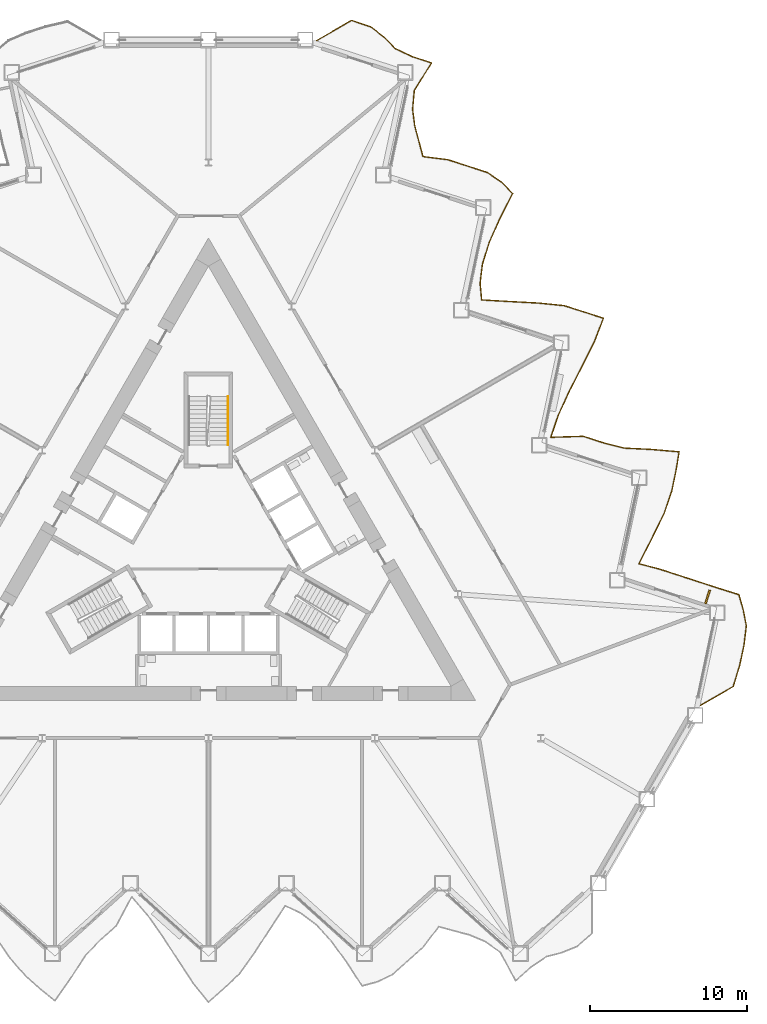
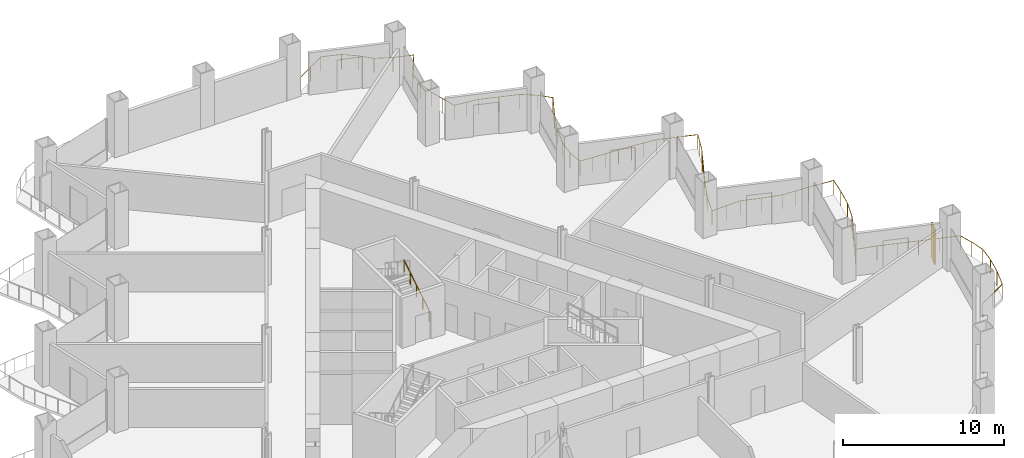
# One storey, part 18 of 20: 2 railings, 1 shading device.
"""IFC4 building model written with IfcOpenShell, lengths in metres."""

from ifc_helpers import new_model, si_unit, direction, frame, origin, origin_2d, place, context, subcontext, project, spatial, rectangle, circle, extrude, material, layer, layer_set, type_object, element, save


model = new_model("IFC4")

# Units and contexts
model_context = context("Model", 3, precision=1e-05, world=origin(), true_north=direction((0.0, 1.0)))
body_context = subcontext(model_context, "Body", "Model", "MODEL_VIEW")
ifc_project = project(units=[si_unit("LENGTHUNIT", "METRE"), si_unit("AREAUNIT", "SQUARE_METRE"), si_unit("VOLUMEUNIT", "CUBIC_METRE"), si_unit("PLANEANGLEUNIT", "RADIAN"), si_unit("MASSUNIT", "GRAM", prefix="KILO")], contexts=[model_context])

# Site, building, storey
site_placement = place(None, origin())
site = spatial("IfcSite", under=ifc_project, at=site_placement, CompositionType="ELEMENT")
building_placement = place(site_placement, origin())
building = spatial("IfcBuilding", under=site, at=building_placement, Name="Cormorant Prow Tower", CompositionType="ELEMENT")
storey_placement = place(building_placement, frame((0.0, 0.0, 59.39990234375)))
storey = spatial("IfcBuildingStorey", under=building, at=storey_placement, Name="L12", CompositionType="ELEMENT", Elevation=59.39990234375)

# Railings
ifc_material_1 = material(Name="Aluminium 6063-T6", Category="aluminium")
railing_type_1 = type_object("IfcRailingType", Name="Balcony guard 1100", PredefinedType="GUARDRAIL", material=ifc_material_1)
railing_1_placement = place(storey_placement, frame((31.3291015625, -10.131591796875, 0.0)))
element("IfcRailing", 1, at=railing_1_placement, inside=storey, type_object=railing_type_1, Name="Balcony guard ENE", PredefinedType="GUARDRAIL", context=body_context, shape_type="SweptSolid", body=[
    extrude(circle(Radius=0.02392578125, at=origin_2d()), frame((0.0, 0.0, 1.076171875), z_axis=(0.866028295127, 0.499994992015, 0.0), x_axis=(-0.499994992015, 0.866028295127, 0.0)), (0.0, 0.0, 1.0), 2.40380859375),
    extrude(circle(Radius=0.02392578125, at=origin_2d()), frame((2.081787109375, 1.201904296875, 1.076171875), z_axis=(0.291568684653, 0.956549895264, 0.0), x_axis=(-0.956549895264, 0.291568684653, 0.0)), (0.0, 0.0, 1.0), 1.431884765625),
    extrude(circle(Radius=0.02392578125, at=origin_2d()), frame((2.499267578125, 2.571533203125, 1.076171875), z_axis=(0.207843219599, 0.978162152236, 0.0), x_axis=(-0.978162152236, 0.207843219599, 0.0)), (0.0, 0.0, 1.0), 1.315673828125),
    extrude(circle(Radius=0.02392578125, at=origin_2d()), frame((2.772705078125, 3.8583984375, 1.076171875), z_axis=(0.119137338325, 0.99287778433, 0.0), x_axis=(-0.99287778433, 0.119137338325, 0.0)), (0.0, 0.0, 1.0), 1.221435546875),
    extrude(circle(Radius=0.02392578125, at=origin_2d()), frame((2.918212890625, 5.071044921875, 1.076171875), z_axis=(-0.192070964162, 0.981381039518, 0.0), x_axis=(-0.981381039518, -0.192070964162, 0.0)), (0.0, 0.0, 1.0), 1.033447265625),
    extrude(circle(Radius=0.02392578125, at=origin_2d()), frame((2.7197265625, 6.085205078125, 1.076171875), z_axis=(-0.277057369116, 0.960853378106, 0.0), x_axis=(-0.960853378106, -0.277057369116, 0.0)), (0.0, 0.0, 1.0), 1.007080078125),
    extrude(circle(Radius=0.02392578125, at=origin_2d()), frame((2.440673828125, 7.052978515625, 1.076171875), z_axis=(-0.954349059567, 0.298693609745, 0.0), x_axis=(-0.298693609745, -0.954349059567, 0.0)), (0.0, 0.0, 1.0), 1.328125),
    extrude(circle(Radius=0.02392578125, at=origin_2d()), frame((1.173095703125, 7.44970703125, 1.076171875), z_axis=(-0.95106815658, 0.308981166967, 0.0), x_axis=(-0.308981166967, -0.95106815658, 0.0)), (0.0, 0.0, 1.0), 1.315673828125),
    extrude(circle(Radius=0.02392578125, at=origin_2d()), frame((-0.078125, 7.856201171875, 1.076171875), z_axis=(-0.951050435231, 0.30903570934, 0.0), x_axis=(-0.30903570934, -0.951050435231, 0.0)), (0.0, 0.0, 1.0), 1.3154296875),
    extrude(circle(Radius=0.02392578125, at=origin_2d()), frame((-1.3291015625, 8.2626953125, 1.076171875), z_axis=(-0.95106815658, 0.308981166967, 0.0), x_axis=(-0.308981166967, -0.95106815658, 0.0)), (0.0, 0.0, 1.0), 1.315673828125),
    extrude(circle(Radius=0.02392578125, at=origin_2d()), frame((-2.580322265625, 8.669189453125, 1.076171875), z_axis=(-0.967233662094, 0.253887854991, 0.0), x_axis=(-0.253887854991, -0.967233662094, 0.0)), (0.0, 0.0, 1.0), 1.389404296875),
    extrude(circle(Radius=0.02392578125, at=origin_2d()), frame((-3.92431640625, 9.02197265625, 1.076171875), z_axis=(0.45708818819, 0.889421378322, 0.0), x_axis=(-0.889421378322, 0.45708818819, 0.0)), (0.0, 0.0, 1.0), 1.8046875),
    extrude(circle(Radius=0.02392578125, at=origin_2d()), frame((-3.099365234375, 10.627197265625, 1.076171875), z_axis=(0.44063445979, 0.897686622851, 0.0), x_axis=(-0.897686622851, 0.44063445979, 0.0)), (0.0, 0.0, 1.0), 1.754638671875),
    extrude(circle(Radius=0.02392578125, at=origin_2d()), frame((-2.326171875, 12.202392578125, 1.076171875), z_axis=(0.325359186803, 0.945590503105, 0.0), x_axis=(-0.945590503105, 0.325359186803, 0.0)), (0.0, 0.0, 1.0), 1.489501953125),
    extrude(circle(Radius=0.02392578125, at=origin_2d()), frame((-1.841552734375, 13.61083984375, 1.076171875), z_axis=(0.207880954361, 0.978154133465, 0.0), x_axis=(-0.978154133465, 0.207880954361, 0.0)), (0.0, 0.0, 1.0), 1.3154296875),
    extrude(circle(Radius=0.02392578125, at=origin_2d()), frame((-1.568115234375, 14.8974609375, 1.076171875), z_axis=(0.162739584214, 0.986669056842, 0.0), x_axis=(-0.986669056842, 0.162739584214, 0.0)), (0.0, 0.0, 1.0), 1.2646484375),
    extrude(circle(Radius=0.02392578125, at=origin_2d()), frame((-1.3623046875, 16.145263671875, 1.076171875), z_axis=(-0.996170344756, 0.087433656158, 0.0), x_axis=(-0.087433656158, -0.996170344756, 0.0)), (0.0, 0.0, 1.0), 1.703369140625),
    extrude(circle(Radius=0.02392578125, at=origin_2d()), frame((-3.05908203125, 16.294189453125, 1.076171875), z_axis=(-0.998770844502, 0.049566119198, 0.0), x_axis=(-0.049566119198, -0.998770844502, 0.0)), (0.0, 0.0, 1.0), 1.802734375),
    extrude(circle(Radius=0.02392578125, at=origin_2d()), frame((-4.859619140625, 16.383544921875, 1.076171875), z_axis=(-0.969139593685, 0.24651257159, 0.0), x_axis=(-0.24651257159, -0.969139593685, 0.0)), (0.0, 0.0, 1.0), 1.400390625),
    extrude(circle(Radius=0.02392578125, at=origin_2d()), frame((-6.216796875, 16.728759765625, 1.076171875), z_axis=(-0.951122678146, 0.308813294914, 0.0), x_axis=(-0.308813294914, -0.951122678146, 0.0)), (0.0, 0.0, 1.0), 1.3154296875),
    extrude(circle(Radius=0.02392578125, at=origin_2d()), frame((-7.468017578125, 17.135009765625, 1.076171875), z_axis=(-0.999524557698, -0.030832751396, 0.0), x_axis=(0.030832751396, -0.999524557698, 0.0)), (0.0, 0.0, 1.0), 2.066650390625),
    extrude(circle(Radius=0.02392578125, at=origin_2d()), frame((-9.53369140625, 17.0712890625, 1.076171875), z_axis=(0.322292029461, 0.946640294804, 0.0), x_axis=(-0.946640294804, 0.322292029461, 0.0)), (0.0, 0.0, 1.0), 1.48388671875),
    extrude(circle(Radius=0.02392578125, at=origin_2d()), frame((-9.055419921875, 18.47607421875, 1.076171875), z_axis=(0.417271310622, 0.908781961381, 0.0), x_axis=(-0.908781961381, 0.417271310622, 0.0)), (0.0, 0.0, 1.0), 1.6904296875),
    extrude(circle(Radius=0.02392578125, at=origin_2d()), frame((-8.35009765625, 20.01220703125, 1.076171875), z_axis=(0.455498311896, 0.890236647111, 0.0), x_axis=(-0.890236647111, 0.455498311896, 0.0)), (0.0, 0.0, 1.0), 1.79931640625),
    extrude(circle(Radius=0.02392578125, at=origin_2d()), frame((-7.530517578125, 21.614013671875, 1.076171875), z_axis=(0.446497072921, 0.894785093681, 0.0), x_axis=(-0.894785093681, 0.446497072921, 0.0)), (0.0, 0.0, 1.0), 1.772216796875),
    extrude(circle(Radius=0.02392578125, at=origin_2d()), frame((-6.7392578125, 23.19970703125, 1.076171875), z_axis=(0.358431464982, 0.933556042726, 0.0), x_axis=(-0.933556042726, 0.358431464982, 0.0)), (0.0, 0.0, 1.0), 1.5537109375),
    extrude(circle(Radius=0.02392578125, at=origin_2d()), frame((-6.182373046875, 24.650146484375, 1.076171875), z_axis=(-0.951122678146, 0.308813294914, 0.0), x_axis=(-0.308813294914, -0.951122678146, 0.0)), (0.0, 0.0, 1.0), 1.3154296875),
    extrude(circle(Radius=0.02392578125, at=origin_2d()), frame((-7.43359375, 25.056396484375, 1.076171875), z_axis=(-0.953643881529, 0.300937447358, 0.0), x_axis=(-0.300937447358, -0.953643881529, 0.0)), (0.0, 0.0, 1.0), 1.32568359375),
    extrude(circle(Radius=0.02392578125, at=origin_2d()), frame((-8.69775390625, 25.455322265625, 1.076171875), z_axis=(-0.995097574217, 0.09889801711, 0.0), x_axis=(-0.09889801711, -0.995097574217, 0.0)), (0.0, 0.0, 1.0), 1.67626953125),
    extrude(circle(Radius=0.02392578125, at=origin_2d()), frame((-10.36572265625, 25.62109375, 1.076171875), z_axis=(-0.998635801045, 0.052216251035, 0.0), x_axis=(-0.052216251035, -0.998635801045, 0.0)), (0.0, 0.0, 1.0), 1.79541015625),
    extrude(circle(Radius=0.02392578125, at=origin_2d()), frame((-12.15869140625, 25.71484375, 1.076171875), z_axis=(-0.998322755182, 0.057893665341, 0.0), x_axis=(-0.057893665341, -0.998322755182, 0.0)), (0.0, 0.0, 1.0), 1.779541015625),
    extrude(circle(Radius=0.02392578125, at=origin_2d()), frame((-13.935302734375, 25.81787109375, 1.076171875), z_axis=(-0.091415167566, 0.99581286753, 0.0), x_axis=(-0.99581286753, -0.091415167566, 0.0)), (0.0, 0.0, 1.0), 1.076171875),
    extrude(circle(Radius=0.02392578125, at=origin_2d()), frame((-14.03369140625, 26.8896484375, 1.076171875), z_axis=(0.123863168614, 0.992299307397, 0.0), x_axis=(-0.992299307397, 0.123863168614, 0.0)), (0.0, 0.0, 1.0), 1.22607421875),
    extrude(circle(Radius=0.02392578125, at=origin_2d()), frame((-13.8818359375, 28.106201171875, 1.076171875), z_axis=(0.30028303129, 0.95385014605, 0.0), x_axis=(-0.95385014605, 0.30028303129, 0.0)), (0.0, 0.0, 1.0), 1.4462890625),
    extrude(circle(Radius=0.02392578125, at=origin_2d()), frame((-13.447509765625, 29.48583984375, 1.076171875), z_axis=(0.406138466053, 0.91381154862, 0.0), x_axis=(-0.91381154862, 0.406138466053, 0.0)), (0.0, 0.0, 1.0), 1.66162109375),
    extrude(circle(Radius=0.02392578125, at=origin_2d()), frame((-12.772705078125, 31.004150390625, 1.076171875), z_axis=(0.452605619948, 0.891710801096, 0.0), x_axis=(-0.891710801096, 0.452605619948, 0.0)), (0.0, 0.0, 1.0), 1.790283203125),
    extrude(circle(Radius=0.02392578125, at=origin_2d()), frame((-11.96240234375, 32.6005859375, 1.076171875), z_axis=(-0.709392215106, 0.704813936544, 0.0), x_axis=(-0.704813936544, -0.709392215106, 0.0)), (0.0, 0.0, 1.0), 1.01318359375),
    extrude(circle(Radius=0.02392578125, at=origin_2d()), frame((-12.68115234375, 33.314697265625, 1.076171875), z_axis=(-0.823343636719, 0.567543175339, 0.0), x_axis=(-0.567543175339, -0.823343636719, 0.0)), (0.0, 0.0, 1.0), 1.082275390625),
    extrude(circle(Radius=0.02392578125, at=origin_2d()), frame((-13.572265625, 33.928955078125, 1.076171875), z_axis=(-0.951050435231, 0.30903570934, 0.0), x_axis=(-0.30903570934, -0.951050435231, 0.0)), (0.0, 0.0, 1.0), 1.3154296875),
    extrude(circle(Radius=0.02392578125, at=origin_2d()), frame((-14.8232421875, 34.33544921875, 1.076171875), z_axis=(-0.95106815658, 0.308981166967, 0.0), x_axis=(-0.308981166967, -0.95106815658, 0.0)), (0.0, 0.0, 1.0), 1.315673828125),
    extrude(circle(Radius=0.02392578125, at=origin_2d()), frame((-16.074462890625, 34.741943359375, 1.076171875), z_axis=(-0.991950992504, 0.126622385348, 0.0), x_axis=(-0.126622385348, -0.991950992504, 0.0)), (0.0, 0.0, 1.0), 1.61376953125),
    extrude(circle(Radius=0.02392578125, at=origin_2d()), frame((-17.67529296875, 34.9462890625, 1.076171875), z_axis=(-0.253912214246, 0.967227267738, 0.0), x_axis=(-0.967227267738, -0.253912214246, 0.0)), (0.0, 0.0, 1.0), 1.013427734375),
    extrude(circle(Radius=0.02392578125, at=origin_2d()), frame((-17.9326171875, 35.926513671875, 1.076171875), z_axis=(-0.261687233398, 0.965152729819, 0.0), x_axis=(-0.965152729819, -0.261687233398, 0.0)), (0.0, 0.0, 1.0), 1.01123046875),
    extrude(circle(Radius=0.02392578125, at=origin_2d()), frame((-18.197265625, 36.902587890625, 1.076171875), z_axis=(-0.124261304675, 0.992249529181, 0.0), x_axis=(-0.992249529181, -0.124261304675, 0.0)), (0.0, 0.0, 1.0), 1.06103515625),
    extrude(circle(Radius=0.02392578125, at=origin_2d()), frame((-18.3291015625, 37.955322265625, 1.076171875), z_axis=(0.089467495332, 0.995989742557, 0.0), x_axis=(-0.995989742557, 0.089467495332, 0.0)), (0.0, 0.0, 1.0), 1.1953125),
    extrude(circle(Radius=0.02392578125, at=origin_2d()), frame((-18.22216796875, 39.145751953125, 1.076171875), z_axis=(0.528039693597, 0.84921969006, 0.0), x_axis=(-0.84921969006, 0.528039693597, 0.0)), (0.0, 0.0, 1.0), 2.07373046875),
    extrude(circle(Radius=0.02392578125, at=origin_2d()), frame((-17.127197265625, 40.90673828125, 1.076171875), z_axis=(-0.951050435231, 0.30903570934, 0.0), x_axis=(-0.30903570934, -0.951050435231, 0.0)), (0.0, 0.0, 1.0), 1.3154296875),
    extrude(circle(Radius=0.02392578125, at=origin_2d()), frame((-18.378173828125, 41.313232421875, 1.076171875), z_axis=(-0.900774449028, 0.434287222904, 0.0), x_axis=(-0.434287222904, -0.900774449028, 0.0)), (0.0, 0.0, 1.0), 1.182861328125),
    extrude(circle(Radius=0.02392578125, at=origin_2d()), frame((-19.443603515625, 41.826904296875, 1.076171875), z_axis=(-0.701158389728, 0.713005548726, 0.0), x_axis=(-0.713005548726, -0.701158389728, 0.0)), (0.0, 0.0, 1.0), 1.009765625),
    extrude(circle(Radius=0.02392578125, at=origin_2d()), frame((-20.151611328125, 42.546875, 1.076171875), z_axis=(-0.787690684172, 0.616070926168, 0.0), x_axis=(-0.616070926168, -0.787690684172, 0.0)), (0.0, 0.0, 1.0), 1.05419921875),
    extrude(circle(Radius=0.02392578125, at=origin_2d()), frame((-20.98193359375, 43.1962890625, 1.076171875), z_axis=(-0.946922575113, 0.321461718936, 0.0), x_axis=(-0.321461718936, -0.946922575113, 0.0)), (0.0, 0.0, 1.0), 1.30029296875),
    extrude(circle(Radius=0.02392578125, at=origin_2d()), frame((-22.213134765625, 43.6142578125, 1.076171875), z_axis=(-0.866013163002, -0.500021201058, 0.0), x_axis=(0.500021201058, -0.866013163002, 0.0)), (0.0, 0.0, 1.0), 2.5703125),
    extrude(circle(Radius=0.02099609375, at=origin_2d()), origin(), (0.0, 0.0, 1.0), 1.052001953125),
    extrude(circle(Radius=0.02099609375, at=origin_2d()), frame((1.041015625, 0.60107421875, 0.0)), (0.0, 0.0, 1.0), 1.052001953125),
    extrude(circle(Radius=0.02099609375, at=origin_2d()), frame((2.081787109375, 1.201904296875, 0.0)), (0.0, 0.0, 1.0), 1.052001953125),
    extrude(circle(Radius=0.02099609375, at=origin_2d()), frame((2.499267578125, 2.571533203125, 0.0)), (0.0, 0.0, 1.0), 1.052001953125),
    extrude(circle(Radius=0.02099609375, at=origin_2d()), frame((2.772705078125, 3.8583984375, 0.0)), (0.0, 0.0, 1.0), 1.052001953125),
    extrude(circle(Radius=0.02099609375, at=origin_2d()), frame((2.918212890625, 5.071044921875, 0.0)), (0.0, 0.0, 1.0), 1.052001953125),
    extrude(circle(Radius=0.02099609375, at=origin_2d()), frame((2.7197265625, 6.085205078125, 0.0)), (0.0, 0.0, 1.0), 1.052001953125),
    extrude(circle(Radius=0.02099609375, at=origin_2d()), frame((2.440673828125, 7.052978515625, 0.0)), (0.0, 0.0, 1.0), 1.052001953125),
    extrude(circle(Radius=0.02099609375, at=origin_2d()), frame((1.173095703125, 7.44970703125, 0.0)), (0.0, 0.0, 1.0), 1.052001953125),
    extrude(circle(Radius=0.02099609375, at=origin_2d()), frame((-0.078125, 7.856201171875, 0.0)), (0.0, 0.0, 1.0), 1.052001953125),
    extrude(circle(Radius=0.02099609375, at=origin_2d()), frame((-1.3291015625, 8.2626953125, 0.0)), (0.0, 0.0, 1.0), 1.052001953125),
    extrude(circle(Radius=0.02099609375, at=origin_2d()), frame((-2.580322265625, 8.669189453125, 0.0)), (0.0, 0.0, 1.0), 1.052001953125),
    extrude(circle(Radius=0.02099609375, at=origin_2d()), frame((-3.92431640625, 9.02197265625, 0.0)), (0.0, 0.0, 1.0), 1.052001953125),
    extrude(circle(Radius=0.02099609375, at=origin_2d()), frame((-3.51171875, 9.82470703125, 0.0)), (0.0, 0.0, 1.0), 1.052001953125),
    extrude(circle(Radius=0.02099609375, at=origin_2d()), frame((-3.099365234375, 10.627197265625, 0.0)), (0.0, 0.0, 1.0), 1.052001953125),
    extrude(circle(Radius=0.02099609375, at=origin_2d()), frame((-2.712890625, 11.414794921875, 0.0)), (0.0, 0.0, 1.0), 1.052001953125),
    extrude(circle(Radius=0.02099609375, at=origin_2d()), frame((-2.326171875, 12.202392578125, 0.0)), (0.0, 0.0, 1.0), 1.052001953125),
    extrude(circle(Radius=0.02099609375, at=origin_2d()), frame((-1.841552734375, 13.61083984375, 0.0)), (0.0, 0.0, 1.0), 1.052001953125),
    extrude(circle(Radius=0.02099609375, at=origin_2d()), frame((-1.568115234375, 14.8974609375, 0.0)), (0.0, 0.0, 1.0), 1.052001953125),
    extrude(circle(Radius=0.02099609375, at=origin_2d()), frame((-1.3623046875, 16.145263671875, 0.0)), (0.0, 0.0, 1.0), 1.052001953125),
    extrude(circle(Radius=0.02099609375, at=origin_2d()), frame((-2.210693359375, 16.2197265625, 0.0)), (0.0, 0.0, 1.0), 1.052001953125),
    extrude(circle(Radius=0.02099609375, at=origin_2d()), frame((-3.05908203125, 16.294189453125, 0.0)), (0.0, 0.0, 1.0), 1.052001953125),
    extrude(circle(Radius=0.02099609375, at=origin_2d()), frame((-3.95947265625, 16.3388671875, 0.0)), (0.0, 0.0, 1.0), 1.052001953125),
    extrude(circle(Radius=0.02099609375, at=origin_2d()), frame((-4.859619140625, 16.383544921875, 0.0)), (0.0, 0.0, 1.0), 1.052001953125),
    extrude(circle(Radius=0.02099609375, at=origin_2d()), frame((-6.216796875, 16.728759765625, 0.0)), (0.0, 0.0, 1.0), 1.052001953125),
    extrude(circle(Radius=0.02099609375, at=origin_2d()), frame((-7.468017578125, 17.135009765625, 0.0)), (0.0, 0.0, 1.0), 1.052001953125),
    extrude(circle(Radius=0.02099609375, at=origin_2d()), frame((-8.5009765625, 17.10302734375, 0.0)), (0.0, 0.0, 1.0), 1.052001953125),
    extrude(circle(Radius=0.02099609375, at=origin_2d()), frame((-9.53369140625, 17.0712890625, 0.0)), (0.0, 0.0, 1.0), 1.052001953125),
    extrude(circle(Radius=0.02099609375, at=origin_2d()), frame((-9.055419921875, 18.47607421875, 0.0)), (0.0, 0.0, 1.0), 1.052001953125),
    extrude(circle(Radius=0.02099609375, at=origin_2d()), frame((-8.70263671875, 19.244140625, 0.0)), (0.0, 0.0, 1.0), 1.052001953125),
    extrude(circle(Radius=0.02099609375, at=origin_2d()), frame((-8.35009765625, 20.01220703125, 0.0)), (0.0, 0.0, 1.0), 1.052001953125),
    extrude(circle(Radius=0.02099609375, at=origin_2d()), frame((-7.9404296875, 20.81298828125, 0.0)), (0.0, 0.0, 1.0), 1.052001953125),
    extrude(circle(Radius=0.02099609375, at=origin_2d()), frame((-7.530517578125, 21.614013671875, 0.0)), (0.0, 0.0, 1.0), 1.052001953125),
    extrude(circle(Radius=0.02099609375, at=origin_2d()), frame((-7.134765625, 22.40673828125, 0.0)), (0.0, 0.0, 1.0), 1.052001953125),
    extrude(circle(Radius=0.02099609375, at=origin_2d()), frame((-6.7392578125, 23.19970703125, 0.0)), (0.0, 0.0, 1.0), 1.052001953125),
    extrude(circle(Radius=0.02099609375, at=origin_2d()), frame((-6.4609375, 23.9248046875, 0.0)), (0.0, 0.0, 1.0), 1.052001953125),
    extrude(circle(Radius=0.02099609375, at=origin_2d()), frame((-6.182373046875, 24.650146484375, 0.0)), (0.0, 0.0, 1.0), 1.052001953125),
    extrude(circle(Radius=0.02099609375, at=origin_2d()), frame((-7.43359375, 25.056396484375, 0.0)), (0.0, 0.0, 1.0), 1.052001953125),
    extrude(circle(Radius=0.02099609375, at=origin_2d()), frame((-8.69775390625, 25.455322265625, 0.0)), (0.0, 0.0, 1.0), 1.052001953125),
    extrude(circle(Radius=0.02099609375, at=origin_2d()), frame((-9.53173828125, 25.5380859375, 0.0)), (0.0, 0.0, 1.0), 1.052001953125),
    extrude(circle(Radius=0.02099609375, at=origin_2d()), frame((-10.36572265625, 25.62109375, 0.0)), (0.0, 0.0, 1.0), 1.052001953125),
    extrude(circle(Radius=0.02099609375, at=origin_2d()), frame((-11.26220703125, 25.66796875, 0.0)), (0.0, 0.0, 1.0), 1.052001953125),
    extrude(circle(Radius=0.02099609375, at=origin_2d()), frame((-12.15869140625, 25.71484375, 0.0)), (0.0, 0.0, 1.0), 1.052001953125),
    extrude(circle(Radius=0.02099609375, at=origin_2d()), frame((-13.046875, 25.766357421875, 0.0)), (0.0, 0.0, 1.0), 1.052001953125),
    extrude(circle(Radius=0.02099609375, at=origin_2d()), frame((-13.935302734375, 25.81787109375, 0.0)), (0.0, 0.0, 1.0), 1.052001953125),
    extrude(circle(Radius=0.02099609375, at=origin_2d()), frame((-14.03369140625, 26.8896484375, 0.0)), (0.0, 0.0, 1.0), 1.052001953125),
    extrude(circle(Radius=0.02099609375, at=origin_2d()), frame((-13.8818359375, 28.106201171875, 0.0)), (0.0, 0.0, 1.0), 1.052001953125),
    extrude(circle(Radius=0.02099609375, at=origin_2d()), frame((-13.447509765625, 29.48583984375, 0.0)), (0.0, 0.0, 1.0), 1.052001953125),
    extrude(circle(Radius=0.02099609375, at=origin_2d()), frame((-13.110107421875, 30.2451171875, 0.0)), (0.0, 0.0, 1.0), 1.052001953125),
    extrude(circle(Radius=0.02099609375, at=origin_2d()), frame((-12.772705078125, 31.004150390625, 0.0)), (0.0, 0.0, 1.0), 1.052001953125),
    extrude(circle(Radius=0.02099609375, at=origin_2d()), frame((-12.36767578125, 31.80224609375, 0.0)), (0.0, 0.0, 1.0), 1.052001953125),
    extrude(circle(Radius=0.02099609375, at=origin_2d()), frame((-11.96240234375, 32.6005859375, 0.0)), (0.0, 0.0, 1.0), 1.052001953125),
    extrude(circle(Radius=0.02099609375, at=origin_2d()), frame((-12.68115234375, 33.314697265625, 0.0)), (0.0, 0.0, 1.0), 1.052001953125),
    extrude(circle(Radius=0.02099609375, at=origin_2d()), frame((-13.572265625, 33.928955078125, 0.0)), (0.0, 0.0, 1.0), 1.052001953125),
    extrude(circle(Radius=0.02099609375, at=origin_2d()), frame((-14.8232421875, 34.33544921875, 0.0)), (0.0, 0.0, 1.0), 1.052001953125),
    extrude(circle(Radius=0.02099609375, at=origin_2d()), frame((-16.074462890625, 34.741943359375, 0.0)), (0.0, 0.0, 1.0), 1.052001953125),
    extrude(circle(Radius=0.02099609375, at=origin_2d()), frame((-16.875, 34.84423828125, 0.0)), (0.0, 0.0, 1.0), 1.052001953125),
    extrude(circle(Radius=0.02099609375, at=origin_2d()), frame((-17.67529296875, 34.9462890625, 0.0)), (0.0, 0.0, 1.0), 1.052001953125),
    extrude(circle(Radius=0.02099609375, at=origin_2d()), frame((-17.9326171875, 35.926513671875, 0.0)), (0.0, 0.0, 1.0), 1.052001953125),
    extrude(circle(Radius=0.02099609375, at=origin_2d()), frame((-18.197265625, 36.902587890625, 0.0)), (0.0, 0.0, 1.0), 1.052001953125),
    extrude(circle(Radius=0.02099609375, at=origin_2d()), frame((-18.3291015625, 37.955322265625, 0.0)), (0.0, 0.0, 1.0), 1.052001953125),
    extrude(circle(Radius=0.02099609375, at=origin_2d()), frame((-18.22216796875, 39.145751953125, 0.0)), (0.0, 0.0, 1.0), 1.052001953125),
    extrude(circle(Radius=0.02099609375, at=origin_2d()), frame((-17.6748046875, 40.0263671875, 0.0)), (0.0, 0.0, 1.0), 1.052001953125),
    extrude(circle(Radius=0.02099609375, at=origin_2d()), frame((-17.127197265625, 40.90673828125, 0.0)), (0.0, 0.0, 1.0), 1.052001953125),
    extrude(circle(Radius=0.02099609375, at=origin_2d()), frame((-18.378173828125, 41.313232421875, 0.0)), (0.0, 0.0, 1.0), 1.052001953125),
    extrude(circle(Radius=0.02099609375, at=origin_2d()), frame((-19.443603515625, 41.826904296875, 0.0)), (0.0, 0.0, 1.0), 1.052001953125),
    extrude(circle(Radius=0.02099609375, at=origin_2d()), frame((-20.151611328125, 42.546875, 0.0)), (0.0, 0.0, 1.0), 1.052001953125),
    extrude(circle(Radius=0.02099609375, at=origin_2d()), frame((-20.98193359375, 43.1962890625, 0.0)), (0.0, 0.0, 1.0), 1.052001953125),
    extrude(circle(Radius=0.02099609375, at=origin_2d()), frame((-22.213134765625, 43.6142578125, 0.0)), (0.0, 0.0, 1.0), 1.052001953125),
    extrude(circle(Radius=0.02099609375, at=origin_2d()), frame((-23.326171875, 42.9716796875, 0.0)), (0.0, 0.0, 1.0), 1.052001953125),
    extrude(circle(Radius=0.02099609375, at=origin_2d()), frame((-24.43896484375, 42.3291015625, 0.0)), (0.0, 0.0, 1.0), 1.052001953125),
])
ifc_material_2 = material(Name="Stainless steel", Category="steel")
railing_type_2 = type_object("IfcRailingType", Name="Stair handrail 900", PredefinedType="HANDRAIL", material=ifc_material_2)
railing_2_placement = place(storey_placement, frame((1.243896484375, 6.455810546875, 0.175048828125)))
element("IfcRailing", 2, at=railing_2_placement, inside=storey, type_object=railing_type_2, Name="L12 ST3 stair handrail 1", PredefinedType="HANDRAIL", context=body_context, shape_type="SweptSolid", body=[
    extrude(circle(Radius=0.02392578125, at=origin_2d()), frame((0.0, 0.0, 0.8759765625), z_axis=(0.0, 0.847998304005, 0.529998940003), x_axis=(-1.0, 0.0, 0.0)), (0.0, 0.0, 1.0), 3.632080078125),
    extrude(circle(Radius=0.02099609375, at=origin_2d()), origin(), (0.0, 0.0, 1.0), 0.851806640625),
    extrude(circle(Radius=0.02099609375, at=origin_2d()), frame((0.0, 0.77001953125, 0.481201171875)), (0.0, 0.0, 1.0), 0.851806640625),
    extrude(circle(Radius=0.02099609375, at=origin_2d()), frame((0.0, 1.5400390625, 0.96240234375)), (0.0, 0.0, 1.0), 0.851806640625),
    extrude(circle(Radius=0.02099609375, at=origin_2d()), frame((0.0, 2.31005859375, 1.44384765625)), (0.0, 0.0, 1.0), 0.851806640625),
    extrude(circle(Radius=0.02099609375, at=origin_2d()), frame((0.0, 3.080078125, 1.925048828125)), (0.0, 0.0, 1.0), 0.851806640625),
])

# Shading device
ifc_material_3 = material(Name="Terracotta", Category="masonry")
ifc_layer = layer(ifc_material_3, 0.1201171875)
ifc_layer_set = layer_set([ifc_layer], Name="Terracotta")
shading_device_type = type_object("IfcShadingDeviceType", Name="Terracotta baguette fin 120x900x2600", PredefinedType="USERDEFINED", material=ifc_layer_set)
shading_device_placement = place(storey_placement, frame((31.78076171875, -3.224609375, 0.0), z_axis=(0.0, 0.0, 1.0), x_axis=(-0.951056533317, 0.309016941988, 0.0)))
element("IfcShadingDevice", 3, at=shading_device_placement, inside=storey, type_object=shading_device_type, Name="Baguette fin ENE01", ObjectType="BAGUETTE", PredefinedType="USERDEFINED", context=body_context, shape_type="SweptSolid", body=[
    extrude(rectangle(XDim=0.1201171875, YDim=0.89990234375, at=origin_2d()), origin(), (0.0, 0.0, 1.0), 2.60009765625),
])

save(model, "model.ifc")
